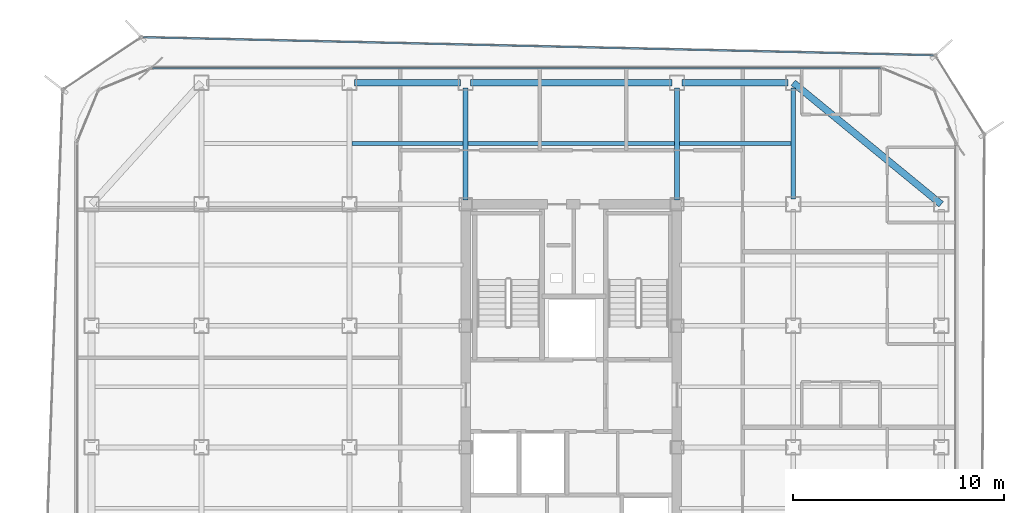
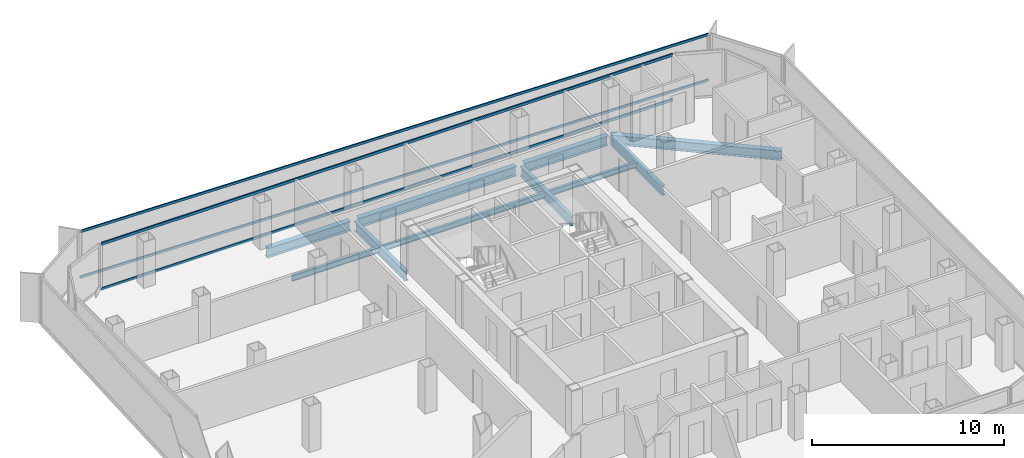
# One storey, part 7 of 16: 10 beams, 4 members, 2 elements without a shape of their own.
"""IFC4 building model written with IfcOpenShell, lengths in metres."""

from ifc_helpers import new_model, si_unit, direction, frame, origin, origin_2d, place, context, subcontext, project, spatial, hollow_rectangle, i_section, extrude, source, transform, mapped, material, layer, layer_set, material_profile, profile_set, type_object, element, aggregate, save


model = new_model("IFC4")

# Units and contexts
model_context = context("Model", 3, precision=1e-05, world=origin(), true_north=direction((0.0, 1.0)))
body_context = subcontext(model_context, "Body", "Model", "MODEL_VIEW")
ifc_project = project(units=[si_unit("LENGTHUNIT", "METRE"), si_unit("AREAUNIT", "SQUARE_METRE"), si_unit("VOLUMEUNIT", "CUBIC_METRE"), si_unit("PLANEANGLEUNIT", "RADIAN"), si_unit("MASSUNIT", "GRAM", prefix="KILO")], contexts=[model_context])

# Site, building, storey
site_placement = place(None, origin())
site = spatial("IfcSite", under=ifc_project, at=site_placement, CompositionType="ELEMENT")
building_placement = place(site_placement, origin())
building = spatial("IfcBuilding", under=site, at=building_placement, Name="Kolveth Station Tower", CompositionType="ELEMENT")
storey_placement = place(building_placement, frame((0.0, 0.0, 178.5)))
storey = spatial("IfcBuildingStorey", under=building, at=storey_placement, Name="L50", CompositionType="ELEMENT", Elevation=178.5)

# Beams
ifc_material_1 = material(Name="Steel S355", Category="steel")
ifc_material_profile_1 = material_profile(ifc_material_1, i_section(OverallWidth=0.323974609375, OverallDepth=0.611083984375, WebThickness=0.0126953125, FlangeThickness=0.01904296875, at=origin_2d()), Name="W610x155")
ifc_profile_set_1 = profile_set([ifc_material_profile_1], Name="Steel S355")
beam_type_1 = type_object("IfcBeamType", Name="Beam_SP2", PredefinedType="SPANDREL", material=ifc_profile_set_1)
shared_shape_1 = source(origin(), body_context, "Body", "SweptSolid", [
    extrude(i_section(OverallWidth=0.323974609375, OverallDepth=0.611083984375, WebThickness=0.0126953125, FlangeThickness=0.01904296875, at=origin_2d()), origin(), (0.0, 0.0, 1.0), 5.02001953125),
])
for number, where, z_axis, x_axis, name in (
    (1, (13.239990234375, 34.5, -0.555419921875), (1.0, 0.0, 0.0), (0.0, 1.0, 0.0), "L50 Perimeter Spandrel BM-L50-PN-2"),
    (2, (28.739990234375, 34.5, -0.555419921875), (1.0, 0.0, 0.0), (0.0, 1.0, 0.0), "L50 Perimeter Spandrel BM-L50-PN-4"),
):
    element("IfcBeam", number, at=place(storey_placement, frame(where, z_axis=z_axis, x_axis=x_axis)), inside=storey, type_object=beam_type_1, Name=name, PredefinedType="SPANDREL", context=body_context, shape_type="MappedRepresentation", body=[
        mapped(shared_shape_1, transform((0.0, 0.0, 0.0), x_axis=(1.0, 0.0, 0.0), y_axis=(0.0, 1.0, 0.0), z_axis=(0.0, 0.0, 1.0), scale=1.0)),
    ])
shared_shape_2 = source(origin(), body_context, "Body", "SweptSolid", [
    extrude(i_section(OverallWidth=0.323974609375, OverallDepth=0.611083984375, WebThickness=0.0126953125, FlangeThickness=0.01904296875, at=origin_2d()), origin(), (0.0, 0.0, 1.0), 9.52001953125),
])
beam_1_placement = place(storey_placement, frame((18.739990234375, 34.5, -0.555419921875), z_axis=(1.0, 0.0, 0.0), x_axis=(0.0, 1.0, 0.0)))
element("IfcBeam", 3, at=beam_1_placement, inside=storey, type_object=beam_type_1, Name="L50 Perimeter Spandrel BM-L50-PN-3", PredefinedType="SPANDREL", context=body_context, shape_type="MappedRepresentation", body=[
    mapped(shared_shape_2, transform((0.0, 0.0, 0.0), x_axis=(1.0, 0.0, 0.0), y_axis=(0.0, 1.0, 0.0), z_axis=(0.0, 0.0, 1.0), scale=1.0)),
])
shared_shape_3 = source(origin(), body_context, "Body", "SweptSolid", [
    extrude(i_section(OverallWidth=0.323974609375, OverallDepth=0.611083984375, WebThickness=0.0126953125, FlangeThickness=0.01904296875, at=origin_2d()), origin(), (0.0, 0.0, 1.0), 9.058837890625),
])
beam_2_placement = place(storey_placement, frame((41.0, 28.75, -0.555419921875), z_axis=(-0.772726254525, 0.63473942336, 0.0), x_axis=(-0.63473942336, -0.772726254525, 0.0)))
element("IfcBeam", 4, at=beam_2_placement, inside=storey, type_object=beam_type_1, Name="L50 Corner Edge Girder BM-L50-CNR-NE", PredefinedType="SPANDREL", context=body_context, shape_type="MappedRepresentation", body=[
    mapped(shared_shape_3, transform((0.0, 0.0, 0.0), x_axis=(1.0, 0.0, 0.0), y_axis=(0.0, 1.0, 0.0), z_axis=(0.0, 0.0, 1.0), scale=1.0)),
])
ifc_material_profile_2 = material_profile(ifc_material_1, i_section(OverallWidth=0.22900390625, OverallDepth=0.612060546875, WebThickness=0.011962890625, FlangeThickness=0.01953125, at=origin_2d()), Name="W610x125")
ifc_profile_set_2 = profile_set([ifc_material_profile_2], Name="Steel S355")
beam_type_2 = type_object("IfcBeamType", Name="Beam_B5", PredefinedType="BEAM", material=ifc_profile_set_2)
shared_shape_4 = source(origin(), body_context, "Body", "SweptSolid", [
    extrude(i_section(OverallWidth=0.22900390625, OverallDepth=0.612060546875, WebThickness=0.011962890625, FlangeThickness=0.01953125, at=origin_2d()), origin(), (0.0, 0.0, 1.0), 5.27001953125),
])
beam_3_placement = place(storey_placement, frame((34.0, 28.989990234375, -0.555908203125), z_axis=(0.0, 1.0, 0.0), x_axis=(-1.0, 0.0, 0.0)))
element("IfcBeam", 5, at=beam_3_placement, inside=storey, type_object=beam_type_2, Name="L50 Primary Girder BM-L50-GX340-6", PredefinedType="BEAM", context=body_context, shape_type="MappedRepresentation", body=[
    mapped(shared_shape_4, transform((0.0, 0.0, 0.0), x_axis=(1.0, 0.0, 0.0), y_axis=(0.0, 1.0, 0.0), z_axis=(0.0, 0.0, 1.0), scale=1.0)),
])
shared_shape_5 = source(origin(), body_context, "Body", "SweptSolid", [
    extrude(i_section(OverallWidth=0.22900390625, OverallDepth=0.612060546875, WebThickness=0.011962890625, FlangeThickness=0.01953125, at=origin_2d()), origin(), (0.0, 0.0, 1.0), 5.31005859375),
])
for number, where, z_axis, x_axis, name in (
    (6, (18.5, 28.949951171875, -0.555908203125), (0.0, 1.0, 0.0), (-1.0, 0.0, 0.0), "L50 Primary Girder BM-L50-GX185-6"),
    (7, (28.5, 28.949951171875, -0.555908203125), (0.0, 1.0, 0.0), (-1.0, 0.0, 0.0), "L50 Primary Girder BM-L50-GX285-6"),
):
    element("IfcBeam", number, at=place(storey_placement, frame(where, z_axis=z_axis, x_axis=x_axis)), inside=storey, type_object=beam_type_2, Name=name, PredefinedType="BEAM", context=body_context, shape_type="MappedRepresentation", body=[
        mapped(shared_shape_5, transform((0.0, 0.0, 0.0), x_axis=(1.0, 0.0, 0.0), y_axis=(0.0, 1.0, 0.0), z_axis=(0.0, 0.0, 1.0), scale=1.0)),
    ])
ifc_material_profile_3 = material_profile(ifc_material_1, i_section(OverallWidth=0.1708984375, OverallDepth=0.35205078125, WebThickness=0.0068359375, FlangeThickness=0.009765625, at=origin_2d()), Name="W360x44")
ifc_profile_set_3 = profile_set([ifc_material_profile_3], Name="Steel S355")
beam_type_3 = type_object("IfcBeamType", Name="Beam_J2", PredefinedType="JOIST", material=ifc_profile_set_3)
shared_shape_6 = source(origin(), body_context, "Body", "SweptSolid", [
    extrude(i_section(OverallWidth=0.1708984375, OverallDepth=0.35205078125, WebThickness=0.0068359375, FlangeThickness=0.009765625, at=origin_2d()), origin(), (0.0, 0.0, 1.0), 5.27490234375),
])
for number, where, z_axis, x_axis, name in (
    (8, (13.112548828125, 31.625, -0.426025390625), (1.0, 0.0, 0.0), (0.0, 1.0, 0.0), "L50 Secondary Joist JST-L50-3-6"),
    (9, (28.612548828125, 31.625, -0.426025390625), (1.0, 0.0, 0.0), (0.0, 1.0, 0.0), "L50 Secondary Joist JST-L50-5-6"),
):
    element("IfcBeam", number, at=place(storey_placement, frame(where, z_axis=z_axis, x_axis=x_axis)), inside=storey, type_object=beam_type_3, Name=name, PredefinedType="JOIST", context=body_context, shape_type="MappedRepresentation", body=[
        mapped(shared_shape_6, transform((0.0, 0.0, 0.0), x_axis=(1.0, 0.0, 0.0), y_axis=(0.0, 1.0, 0.0), z_axis=(0.0, 0.0, 1.0), scale=1.0)),
    ])
shared_shape_7 = source(origin(), body_context, "Body", "SweptSolid", [
    extrude(i_section(OverallWidth=0.1708984375, OverallDepth=0.35205078125, WebThickness=0.0068359375, FlangeThickness=0.009765625, at=origin_2d()), origin(), (0.0, 0.0, 1.0), 9.77490234375),
])
beam_4_placement = place(storey_placement, frame((18.612548828125, 31.625, -0.426025390625), z_axis=(1.0, 0.0, 0.0), x_axis=(0.0, 1.0, 0.0)))
element("IfcBeam", 10, at=beam_4_placement, inside=storey, type_object=beam_type_3, Name="L50 Secondary Joist JST-L50-4-6", PredefinedType="JOIST", context=body_context, shape_type="MappedRepresentation", body=[
    mapped(shared_shape_7, transform((0.0, 0.0, 0.0), x_axis=(1.0, 0.0, 0.0), y_axis=(0.0, 1.0, 0.0), z_axis=(0.0, 0.0, 1.0), scale=1.0)),
])

# Curtain wall, members
ifc_material_2 = material(Name="Aluminium 6063-T6 and low-E dark glass", Category="aluminium")
ifc_layer_1 = layer(ifc_material_2, 0.18994140625)
ifc_layer_set_1 = layer_set([ifc_layer_1], Name="Aluminium 6063-T6 and low-E dark glass")
curtain_wall_type_1 = type_object("IfcCurtainWallType", Name="CurtainWall_CW-Z2", PredefinedType="NOTDEFINED", material=ifc_layer_set_1)
curtain_wall_1_placement = place(storey_placement, origin())
curtain_wall_1 = element("IfcCurtainWall", 11, at=curtain_wall_1_placement, inside=storey, type_object=curtain_wall_type_1, Name="L50 Inner Thermal Curtain Wall 6", PredefinedType="NOTDEFINED")
ifc_material_3 = material(Name="Black anodized aluminium 6063-T6", Category="aluminium")
ifc_material_profile_4 = material_profile(ifc_material_3, hollow_rectangle(XDim=0.080078125, YDim=0.169921875, WallThickness=0.0048828125, at=origin_2d()), Name="ALU-80x170x5")
ifc_profile_set_4 = profile_set([ifc_material_profile_4], Name="Black anodized aluminium 6063-T6")
member_type_1 = type_object("IfcMemberType", Name="Transom_TR2", PredefinedType="USERDEFINED", material=ifc_profile_set_4)
shared_shape_8 = source(origin(), body_context, "Body", "SweptSolid", [
    extrude(hollow_rectangle(XDim=0.080078125, YDim=0.169921875, WallThickness=0.0048828125, at=origin_2d()), origin(), (0.0, 0.0, 1.0), 34.440185546875),
])
member_1_placement = place(storey_placement, frame((38.1201171875, 35.179931640625, 0.0400390625), z_axis=(-1.0, 0.0, 0.0), x_axis=(0.0, -1.0, 0.0)))
member_1 = element("IfcMember", 12, at=member_1_placement, type_object=member_type_1, Name="CW-Z2 transom 1.1", ObjectType="TRANSOM", PredefinedType="USERDEFINED", context=body_context, shape_type="MappedRepresentation", body=[
    mapped(shared_shape_8, transform((0.0, 0.0, 0.0), x_axis=(1.0, 0.0, 0.0), y_axis=(0.0, 1.0, 0.0), z_axis=(0.0, 0.0, 1.0), scale=1.0)),
])
member_2_placement = place(storey_placement, frame((38.1201171875, 35.179931640625, 2.909912109375), z_axis=(-1.0, 0.0, 0.0), x_axis=(0.0, -1.0, 0.0)))
member_2 = element("IfcMember", 13, at=member_2_placement, type_object=member_type_1, Name="CW-Z2 transom 1.2", ObjectType="TRANSOM", PredefinedType="USERDEFINED", context=body_context, shape_type="MappedRepresentation", body=[
    mapped(shared_shape_8, transform((0.0, 0.0, 0.0), x_axis=(1.0, 0.0, 0.0), y_axis=(0.0, 1.0, 0.0), z_axis=(0.0, 0.0, 1.0), scale=1.0)),
])
aggregate(curtain_wall_1, [member_1, member_2])

ifc_material_4 = material(Name="Black anodized aluminium 6063-T6 and dark solar glass", Category="aluminium")
ifc_layer_2 = layer(ifc_material_4, 0.159912109375)
ifc_layer_set_2 = layer_set([ifc_layer_2], Name="Black anodized aluminium 6063-T6 and dark solar glass")
curtain_wall_type_2 = type_object("IfcCurtainWallType", Name="OUTER SKIN CW-OS", PredefinedType="NOTDEFINED", material=ifc_layer_set_2)
curtain_wall_2_placement = place(storey_placement, origin())
curtain_wall_2 = element("IfcCurtainWall", 14, at=curtain_wall_2_placement, inside=storey, type_object=curtain_wall_type_2, Name="L50 Outer Ventilated Skin Curtain Wall 4", PredefinedType="NOTDEFINED")
ifc_material_profile_5 = material_profile(ifc_material_3, hollow_rectangle(XDim=0.080078125, YDim=0.14990234375, WallThickness=0.0048828125, at=origin_2d()), Name="ALU-80x150x5")
ifc_profile_set_5 = profile_set([ifc_material_profile_5], Name="Black anodized aluminium 6063-T6")
member_type_2 = type_object("IfcMemberType", Name="Transom_TR-OS", PredefinedType="USERDEFINED", material=ifc_profile_set_5)
shared_shape_9 = source(origin(), body_context, "Body", "SweptSolid", [
    extrude(hollow_rectangle(XDim=0.080078125, YDim=0.14990234375, WallThickness=0.0048828125, at=origin_2d()), origin(), (0.0, 0.0, 1.0), 37.392822265625),
])
member_3_placement = place(storey_placement, frame((40.63134765625, 35.79833984375, 0.0400390625), z_axis=(-0.999740799696, 0.022766937053, 0.0), x_axis=(-0.022766937053, -0.999740799696, 0.0)))
member_3 = element("IfcMember", 15, at=member_3_placement, type_object=member_type_2, Name="CW-OS transom 1.1", ObjectType="TRANSOM", PredefinedType="USERDEFINED", context=body_context, shape_type="MappedRepresentation", body=[
    mapped(shared_shape_9, transform((0.0, 0.0, 0.0), x_axis=(1.0, 0.0, 0.0), y_axis=(0.0, 1.0, 0.0), z_axis=(0.0, 0.0, 1.0), scale=1.0)),
])
member_4_placement = place(storey_placement, frame((40.63134765625, 35.79833984375, 2.949951171875), z_axis=(-0.999740799696, 0.022766937053, 0.0), x_axis=(-0.022766937053, -0.999740799696, 0.0)))
member_4 = element("IfcMember", 16, at=member_4_placement, type_object=member_type_2, Name="CW-OS transom 1.2", ObjectType="TRANSOM", PredefinedType="USERDEFINED", context=body_context, shape_type="MappedRepresentation", body=[
    mapped(shared_shape_9, transform((0.0, 0.0, 0.0), x_axis=(1.0, 0.0, 0.0), y_axis=(0.0, 1.0, 0.0), z_axis=(0.0, 0.0, 1.0), scale=1.0)),
])
aggregate(curtain_wall_2, [member_3, member_4])

save(model, "model.ifc")
